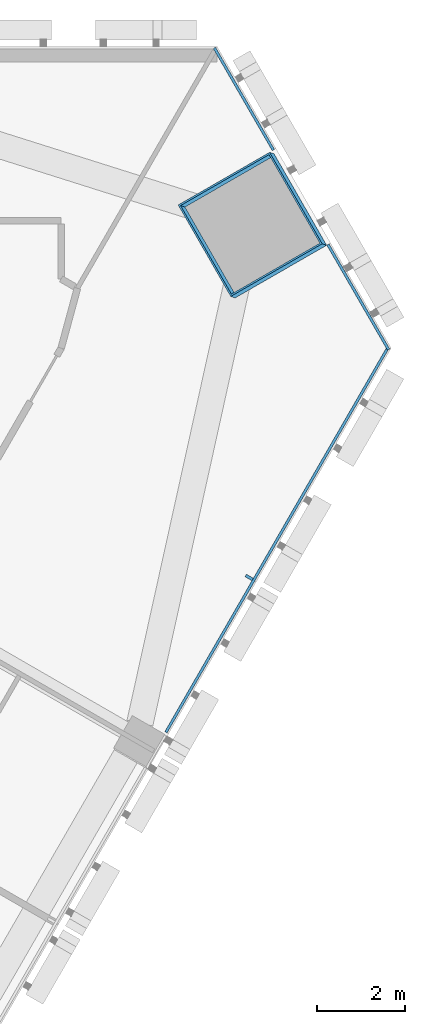
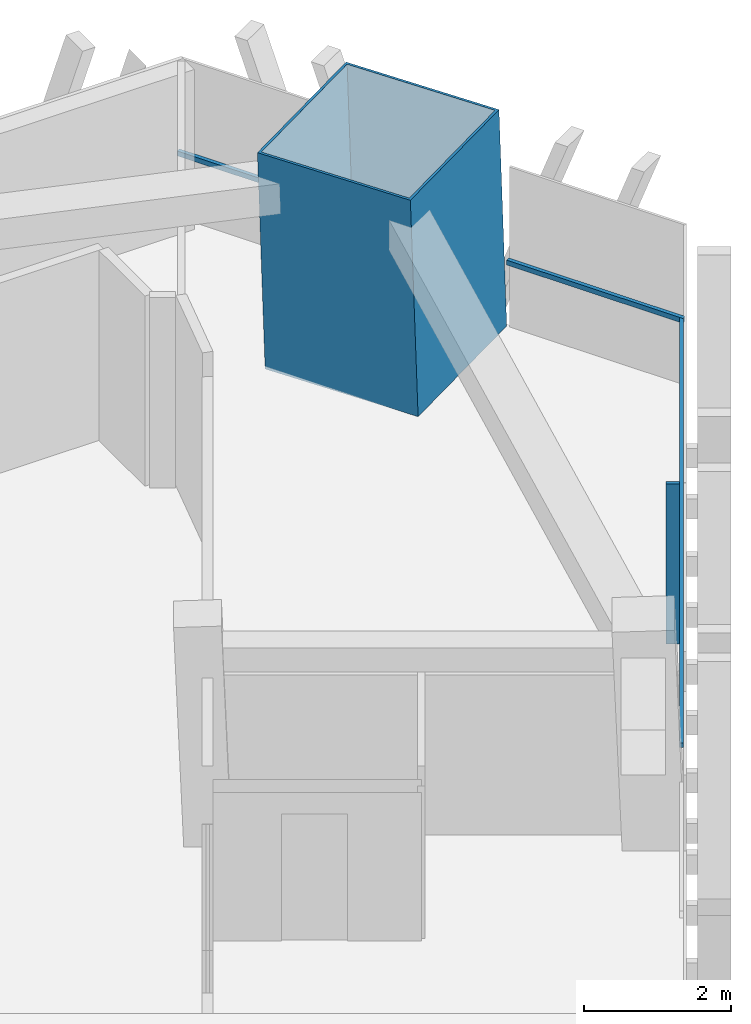
# One storey, part 7 of 16: 5 members, 2 elements without a shape of their own.
"""IFC4 building model written with IfcOpenShell, lengths in metres."""

import ifcopenshell
import ifcopenshell.guid

model = None  # the IFC model being written
_history = None  # IfcOwnerHistory: only IFC2X3 demands one
_inside = {}  # id of a spatial element -> (the spatial element, [elements in it])
_under = {}  # id of a project, library or spatial element -> (it, [spatial elements below it])
_declared = {}  # id of a project -> (the project, [libraries it declares])
_typed = {}  # id of a type object -> (the type object, [elements of that type])
_made_of = {}  # id of a material, layer set ... -> (it, [elements and type objects made of it])


def new_model(schema):
    """Start an empty IFC model of exactly this schema.

    Asked for "IFC4X3", IfcOpenShell would pick the latest addendum, in which some entities
    have other attributes; the version numbers below select the first issue.
    IFC2X3 requires an IfcOwnerHistory on every rooted entity: one is made here for all.
    """
    global model, _history
    if schema == "IFC4X3":
        model = ifcopenshell.file(schema_version=(4, 3, 0, 0))
    else:
        model = ifcopenshell.file(schema=schema)
    _inside.clear()
    _under.clear()
    _declared.clear()
    _typed.clear()
    _made_of.clear()
    _history = None
    if model.schema == "IFC2X3":
        org = make("IfcOrganization", Name="unknown")
        user = make(
            "IfcPersonAndOrganization",
            ThePerson=make("IfcPerson", FamilyName="unknown"),
            TheOrganization=org,
        )
        app = make(
            "IfcApplication",
            ApplicationDeveloper=org,
            Version="unknown",
            ApplicationFullName="unknown",
            ApplicationIdentifier="unknown",
        )
        _history = make(
            "IfcOwnerHistory",
            OwningUser=user,
            OwningApplication=app,
            ChangeAction="ADDED",
            CreationDate=0,
        )
    return model


def make(cls, **values):
    """One entity of the class cls with the attributes given. An attribute that is None is left unset."""
    return model.create_entity(
        cls, **{name: value for name, value in values.items() if value is not None}
    )


def rooted(cls, **values):
    """An entity with a GlobalId (a new one), such as an element, a storey or a relation."""
    return make(cls, GlobalId=ifcopenshell.guid.new(), OwnerHistory=_history, **values)


def si_unit(unit_type, name, prefix=None):
    """IfcSIUnit, for example si_unit("LENGTHUNIT", "METRE", prefix="MILLI")."""
    return make("IfcSIUnit", UnitType=unit_type, Prefix=prefix, Name=name)


def assignment(units):
    """IfcUnitAssignment: the units of a project."""
    return None if units is None else make("IfcUnitAssignment", Units=units)


def point(xyz):
    """IfcCartesianPoint."""
    return None if xyz is None else make("IfcCartesianPoint", Coordinates=xyz)


def direction(xyz):
    """IfcDirection."""
    return None if xyz is None else make("IfcDirection", DirectionRatios=xyz)


def frame(location, z_axis=None, x_axis=None):
    """IfcAxis2Placement3D, a coordinate frame: its origin and axes. An axis left out is left unset."""
    return make(
        "IfcAxis2Placement3D",
        Location=point(location),
        Axis=direction(z_axis),
        RefDirection=direction(x_axis),
    )


def frame_2d(location, x_axis=None):
    """IfcAxis2Placement2D, a coordinate frame in the plane: its origin and x axis."""
    return make(
        "IfcAxis2Placement2D", Location=point(location), RefDirection=direction(x_axis)
    )


def origin():
    """The frame at (0, 0, 0) with its axes left unset."""
    return frame((0.0, 0.0, 0.0))


def origin_2d():
    """The frame at (0, 0) in the plane with its x axis left unset."""
    return frame_2d((0.0, 0.0))


def place(relative_to, where):
    """IfcLocalPlacement: puts the frame where relative to a parent placement (None: the world)."""
    return make(
        "IfcLocalPlacement", PlacementRelTo=relative_to, RelativePlacement=where
    )


def context(
    kind, dimensions, precision=None, world=None, true_north=None, identifier=None
):
    """IfcGeometricRepresentationContext, for example the 3D "Model" context."""
    return make(
        "IfcGeometricRepresentationContext",
        ContextIdentifier=identifier,
        ContextType=kind,
        CoordinateSpaceDimension=dimensions,
        Precision=precision,
        WorldCoordinateSystem=world,
        TrueNorth=true_north,
    )


def subcontext(parent, identifier, kind, view, scale=None):
    """IfcGeometricRepresentationSubContext, for example "Body" below "Model"."""
    return make(
        "IfcGeometricRepresentationSubContext",
        ContextIdentifier=identifier,
        ContextType=kind,
        ParentContext=parent,
        TargetScale=scale,
        TargetView=view,
    )


def project(units=None, contexts=None):
    """IfcProject with its units and contexts."""
    return rooted(
        "IfcProject",
        Name="project",
        RepresentationContexts=contexts,
        UnitsInContext=assignment(units),
    )


def spatial(cls, under=None, at=None, **own):
    """A site, building, storey or space (cls), placed at a placement, below another one or the project."""
    s = rooted(cls, ObjectPlacement=at, **own)
    if under is not None:
        _under.setdefault(under.id(), (under, []))[1].append(s)
    return s


def profile(cls, at=None, kind="AREA", **sizes):
    """A parametric profile (cls). Its sizes go by their IFC names, for example OverallWidth=200.0."""
    return make(cls, ProfileType=kind, Position=at, **sizes)


def rectangle(**sizes):
    """IfcRectangleProfileDef."""
    return profile("IfcRectangleProfileDef", **sizes)


def hollow_rectangle(**sizes):
    """IfcRectangleHollowProfileDef."""
    return profile("IfcRectangleHollowProfileDef", **sizes)


def extrude(swept, where, along, depth):
    """IfcExtrudedAreaSolid: the profile swept, set in the frame where, extruded along a direction by depth."""
    return make(
        "IfcExtrudedAreaSolid",
        SweptArea=swept,
        Position=where,
        ExtrudedDirection=direction(along),
        Depth=depth,
    )


def shape(context_of_items, identifier, shape_type, items):
    """IfcShapeRepresentation: the items that make up one representation, for example the "Body"."""
    return make(
        "IfcShapeRepresentation",
        ContextOfItems=context_of_items,
        RepresentationIdentifier=identifier,
        RepresentationType=shape_type,
        Items=items,
    )


def material(Name=None, Category=None):
    """IfcMaterial."""
    return make("IfcMaterial", Name=Name, Category=Category)


def layer(
    of_material, thickness, ventilated=None, Name=None, Category=None, Priority=None
):
    """IfcMaterialLayer: one layer of a wall or slab, of a material (None: an air gap)."""
    return make(
        "IfcMaterialLayer",
        Material=of_material,
        LayerThickness=thickness,
        IsVentilated=ventilated,
        Name=Name,
        Category=Category,
        Priority=Priority,
    )


def layer_set(layers, Name=None):
    """IfcMaterialLayerSet."""
    return make("IfcMaterialLayerSet", MaterialLayers=layers, LayerSetName=Name)


def material_profile(
    of_material, cross_section, Name=None, Category=None, Priority=None
):
    """IfcMaterialProfile: a cross section and its material."""
    return make(
        "IfcMaterialProfile",
        Name=Name,
        Material=of_material,
        Profile=cross_section,
        Priority=Priority,
        Category=Category,
    )


def profile_set(profiles, Name=None, composite=None):
    """IfcMaterialProfileSet."""
    return make(
        "IfcMaterialProfileSet",
        Name=Name,
        MaterialProfiles=profiles,
        CompositeProfile=composite,
    )


def made_of(thing, what):
    """Note that an element or type object is made of a material, layer set ...; save() writes the relation."""
    if what is not None:
        _made_of.setdefault(what.id(), (what, []))[1].append(thing)
    return thing


def type_object(cls, material=None, **own):
    """A type object (cls), such as IfcWallType, which elements share."""
    return made_of(rooted(cls, **own), material)


def element(
    cls,
    number,
    at=None,
    inside=None,
    cuts=None,
    type_object=None,
    material=None,
    context=None,
    identifier="Body",
    shape_type=None,
    held_by="IfcProductDefinitionShape",
    body=None,
    shapes=None,
    **own,
):
    """One element of the class cls, such as IfcWall. Its Tag is "e" and its number.

    at: its placement. inside: the storey or other place that contains it. cuts: it is an
    opening in that element (IfcRelVoidsElement). A single representation is given by context,
    identifier, shape_type and body (its items); several are given by shapes. held_by: the class
    of the entity that holds the representations. save() writes the other relations.
    """
    e = rooted(cls, Tag="e%d" % number, ObjectPlacement=at, **own)
    if body is not None:
        shapes = [shape(context, identifier, shape_type, body)]
    if shapes is not None:
        e.Representation = make(held_by, Representations=shapes)
    if inside is not None:
        _inside.setdefault(inside.id(), (inside, []))[1].append(e)
    if cuts is not None:
        rooted(
            "IfcRelVoidsElement", RelatingBuildingElement=cuts, RelatedOpeningElement=e
        )
    if type_object is not None:
        _typed.setdefault(type_object.id(), (type_object, []))[1].append(e)
    return made_of(e, material)


def aggregate(whole, parts):
    """IfcRelAggregates: a whole, such as a stair, and the parts it consists of."""
    return rooted("IfcRelAggregates", RelatingObject=whole, RelatedObjects=parts)


def save(model, path):
    """Write the relations noted so far, then the file.

    IfcRelAggregates (storeys below a building ...), IfcRelContainedInSpatialStructure (elements
    in a storey), IfcRelDefinesByType, IfcRelAssociatesMaterial and IfcRelDeclares: one each for
    every whole, place, type object, material and project.
    """
    for whole, parts in _under.values():
        aggregate(whole, parts)
    for where, things in _inside.values():
        rooted(
            "IfcRelContainedInSpatialStructure",
            RelatedElements=things,
            RelatingStructure=where,
        )
    for kind, things in _typed.values():
        rooted("IfcRelDefinesByType", RelatedObjects=things, RelatingType=kind)
    for what, things in _made_of.values():
        rooted("IfcRelAssociatesMaterial", RelatedObjects=things, RelatingMaterial=what)
    for by, libraries in _declared.values():
        rooted("IfcRelDeclares", RelatingContext=by, RelatedDefinitions=libraries)
    model.write(path)


model = new_model("IFC4")

# Units and contexts
model_context = context("Model", 3, precision=1e-05, world=origin(), true_north=direction((0.0, 1.0)))
body_context = subcontext(model_context, "Body", "Model", "MODEL_VIEW")
ifc_project = project(units=[si_unit("LENGTHUNIT", "METRE"), si_unit("AREAUNIT", "SQUARE_METRE"), si_unit("VOLUMEUNIT", "CUBIC_METRE"), si_unit("PLANEANGLEUNIT", "RADIAN"), si_unit("MASSUNIT", "GRAM", prefix="KILO")], contexts=[model_context])

# Site, building, storey
site_placement = place(None, origin())
site = spatial("IfcSite", under=ifc_project, at=site_placement, CompositionType="ELEMENT")
building_placement = place(site_placement, origin())
building = spatial("IfcBuilding", under=site, at=building_placement, Name="Altiplano Prism Tower", CompositionType="ELEMENT")
storey_placement = place(building_placement, frame((0.0, 0.0, 124.199951171875)))
storey = spatial("IfcBuildingStorey", under=building, at=storey_placement, Name="L31", CompositionType="ELEMENT", Elevation=124.199951171875)

# Curtain wall, members
ifc_material_1 = material(Name="Aluminium and glass", Category="aluminium")
ifc_layer = layer(ifc_material_1, 0.280029296875)
ifc_layer_set = layer_set([ifc_layer], Name="Aluminium and glass")
curtain_wall_type = type_object("IfcCurtainWallType", Name="CW1 typical co-living unitised curtain wall", PredefinedType="NOTDEFINED", material=ifc_layer_set)
curtain_wall_1_placement = place(storey_placement, origin())
curtain_wall_1 = element("IfcCurtainWall", 1, at=curtain_wall_1_placement, inside=storey, type_object=curtain_wall_type, Name="CW1 curtain wall south-east face L31", PredefinedType="NOTDEFINED")
ifc_material_2 = material(Name="Aluminium", Category="aluminium")
ifc_material_profile_1 = material_profile(ifc_material_2, rectangle(XDim=0.179931640625, YDim=0.06494140625, at=origin_2d()), Name="CW1 mullion 65 x 180")
ifc_profile_set_1 = profile_set([ifc_material_profile_1], Name="Aluminium")
member_type_1 = type_object("IfcMemberType", Name="CW1 mullion 65 x 180", PredefinedType="MULLION", material=ifc_profile_set_1)
member_1_placement = place(storey_placement, frame((109.8623046875, 92.92431640625, 0.0), z_axis=(0.0, 0.0, 1.0), x_axis=(-0.866025409719, 0.499999989722, 0.0)))
member_1 = element("IfcMember", 2, at=member_1_placement, type_object=member_type_1, Name="CW1 mullion", PredefinedType="MULLION", context=body_context, shape_type="SweptSolid", body=[
    extrude(rectangle(XDim=0.179931640625, YDim=0.06494140625, at=origin_2d()), origin(), (0.0, 0.0, 1.0), 2.650146484375),
])
ifc_material_profile_2 = material_profile(ifc_material_2, rectangle(XDim=0.06005859375, YDim=0.080078125, at=origin_2d()), Name="CW1 transom 80 x 60")
ifc_profile_set_2 = profile_set([ifc_material_profile_2], Name="Aluminium")
member_type_2 = type_object("IfcMemberType", Name="CW1 transom 80 x 60", PredefinedType="USERDEFINED", material=ifc_profile_set_2)
member_2_placement = place(storey_placement, frame((107.968505859375, 89.404052734375, 1.10009765625), z_axis=(0.499986781806, 0.866033035178, 0.0), x_axis=(-0.866033035178, 0.499986781806, 0.0)))
member_2 = element("IfcMember", 3, at=member_2_placement, type_object=member_type_2, Name="CW1 transom", ObjectType="TRANSOM", PredefinedType="USERDEFINED", context=body_context, shape_type="SweptSolid", body=[
    extrude(rectangle(XDim=0.06005859375, YDim=0.080078125, at=origin_2d()), origin(), (0.0, 0.0, 1.0), 10.127197265625),
])
aggregate(curtain_wall_1, [member_1, member_2])

curtain_wall_2_placement = place(storey_placement, origin())
curtain_wall_2 = element("IfcCurtainWall", 4, at=curtain_wall_2_placement, inside=storey, type_object=curtain_wall_type, Name="CW1 curtain wall north-east chamfer L31", PredefinedType="NOTDEFINED")
member_3_placement = place(storey_placement, frame((113.031982421875, 98.1044921875, 1.10009765625), z_axis=(-0.499962294346, 0.86604717206, 0.0), x_axis=(-0.86604717206, -0.499962294346, 0.0)))
member_3 = element("IfcMember", 5, at=member_3_placement, type_object=member_type_2, Name="CW1 transom", ObjectType="TRANSOM", PredefinedType="USERDEFINED", context=body_context, shape_type="SweptSolid", body=[
    extrude(rectangle(XDim=0.06005859375, YDim=0.080078125, at=origin_2d()), origin(), (0.0, 0.0, 1.0), 2.760986328125),
])
member_4_placement = place(storey_placement, frame((110.41162109375, 102.643310546875, 1.10009765625), z_axis=(-0.499958946799, 0.866049104564, 0.0), x_axis=(-0.866049104564, -0.499958946799, 0.0)))
member_4 = element("IfcMember", 6, at=member_4_placement, type_object=member_type_2, Name="CW1 transom", ObjectType="TRANSOM", PredefinedType="USERDEFINED", context=body_context, shape_type="SweptSolid", body=[
    extrude(rectangle(XDim=0.06005859375, YDim=0.080078125, at=origin_2d()), origin(), (0.0, 0.0, 1.0), 2.680908203125),
])
aggregate(curtain_wall_2, [member_3, member_4])

# Member
ifc_material_3 = material(Name="Steel S460", Category="steel")
ifc_material_profile_3 = material_profile(ifc_material_3, hollow_rectangle(XDim=2.39990234375, YDim=2.39990234375, WallThickness=0.0400390625, at=origin_2d()), Name="Mega column tube 2400")
ifc_profile_set_3 = profile_set([ifc_material_profile_3], Name="Steel S460")
member_type_3 = type_object("IfcMemberType", Name="Mega column tube 2400", PredefinedType="POST", material=ifc_profile_set_3)
member_5_placement = place(storey_placement, frame((109.986328125, 100.919677734375, 0.0), z_axis=(-0.028334066552, 0.009286524205, 0.999555371723), x_axis=(0.498277960515, -0.866733668872, 0.022177044631)))
element("IfcMember", 7, at=member_5_placement, inside=storey, type_object=member_type_3, Name="Mega column tube M2 L31", PredefinedType="POST", context=body_context, shape_type="SweptSolid", body=[
    extrude(hollow_rectangle(XDim=2.39990234375, YDim=2.39990234375, WallThickness=0.0400390625, at=origin_2d()), origin(), (0.0, 0.0, 1.0), 3.601806640625),
])

save(model, "model.ifc")
